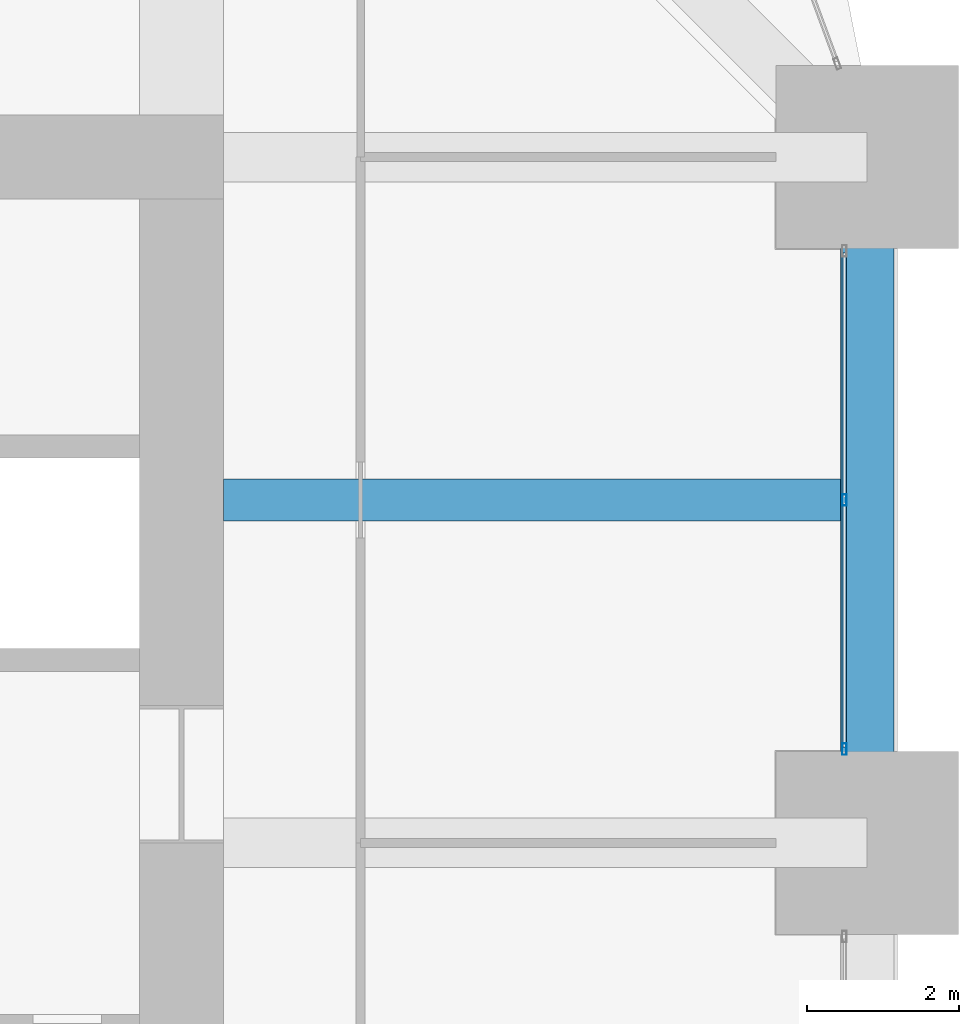
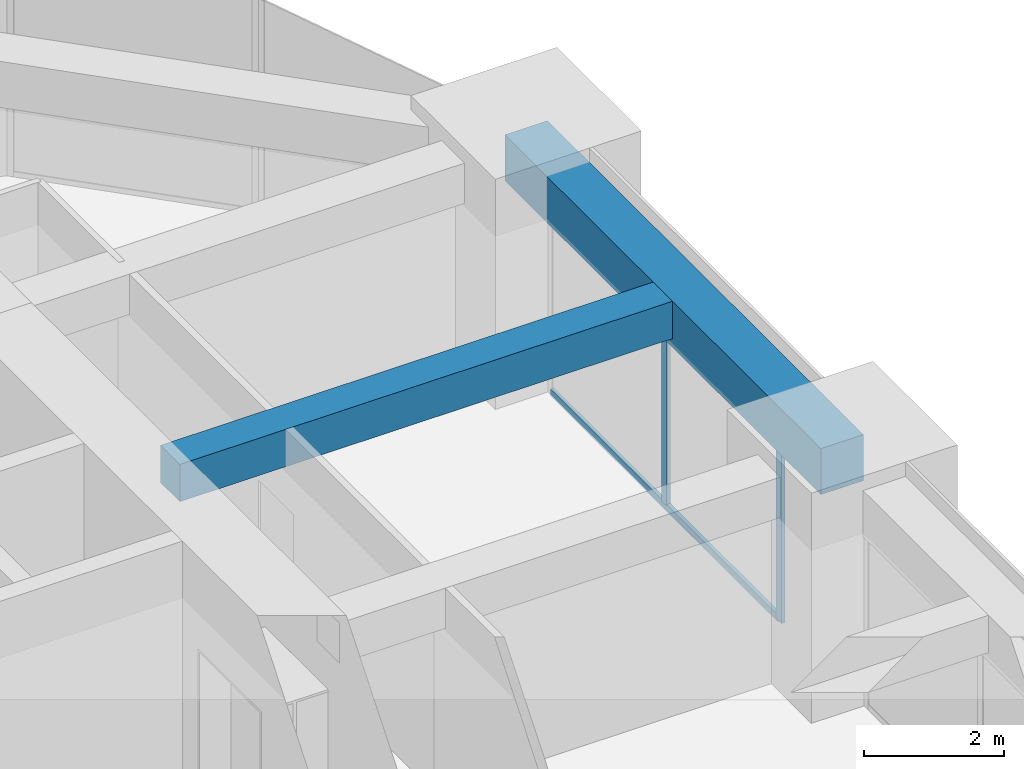
# One storey, part 19 of 34: 3 members, 2 beams, 1 element without a shape of its own.
"""IFC4 building model written with IfcOpenShell, lengths in metres."""

from ifc_helpers import new_model, si_unit, direction, frame, origin, origin_2d, place, context, subcontext, project, spatial, rectangle, hollow_rectangle, extrude, material, material_profile, profile_set, type_object, element, aggregate, save


model = new_model("IFC4")

# Units and contexts
model_context = context("Model", 3, precision=1e-05, world=origin(), true_north=direction((0.0, 1.0)))
body_context = subcontext(model_context, "Body", "Model", "MODEL_VIEW")
ifc_project = project(units=[si_unit("LENGTHUNIT", "METRE"), si_unit("AREAUNIT", "SQUARE_METRE"), si_unit("VOLUMEUNIT", "CUBIC_METRE"), si_unit("PLANEANGLEUNIT", "RADIAN"), si_unit("MASSUNIT", "GRAM", prefix="KILO")], contexts=[model_context])

# Site, building, storey
site_placement = place(None, origin())
site = spatial("IfcSite", under=ifc_project, at=site_placement, CompositionType="ELEMENT")
building_placement = place(site_placement, origin())
building = spatial("IfcBuilding", under=site, at=building_placement, Name="Zorevar Civic Tower", CompositionType="ELEMENT")
storey_placement = place(building_placement, frame((0.0, 0.0, 214.199951171875)))
storey = spatial("IfcBuildingStorey", under=building, at=storey_placement, Name="L52", CompositionType="ELEMENT", Elevation=214.199951171875)

# Beam
ifc_material_1 = material(Name="Concrete C50/60", Category="concrete")
ifc_material_profile_1 = material_profile(ifc_material_1, rectangle(XDim=0.550048828125, YDim=0.64990234375, at=origin_2d()), Name="RC 550x650")
ifc_profile_set_1 = profile_set([ifc_material_profile_1], Name="Concrete C50/60")
beam_type_1 = type_object("IfcBeamType", Name="Beam RC 550x650", PredefinedType="BEAM", material=ifc_profile_set_1)
beam_1_placement = place(storey_placement, frame((45.550048828125, 31.5, 3.425048828125), z_axis=(1.0, 0.0, 0.0), x_axis=(0.0, 1.0, 0.0)))
element("IfcBeam", 1, at=beam_1_placement, inside=storey, type_object=beam_type_1, Name="Secondary beam L53", PredefinedType="BEAM", context=body_context, shape_type="SweptSolid", body=[
    extrude(rectangle(XDim=0.550048828125, YDim=0.64990234375, at=origin_2d()), origin(), (0.0, 0.0, 1.0), 8.099853515625),
])

# Curtain wall, members
ifc_material_2 = material(Name="Dark grey solar-control glass in black aluminium frame", Category="aluminium")
curtain_wall_type = type_object("IfcCurtainWallType", Name="Curtain wall CW4 high zone", PredefinedType="NOTDEFINED", material=ifc_material_2)
curtain_wall_placement = place(storey_placement, origin())
curtain_wall = element("IfcCurtainWall", 2, at=curtain_wall_placement, inside=storey, type_object=curtain_wall_type, Name="CW4 L52", PredefinedType="NOTDEFINED")
ifc_material_3 = material(Name="Aluminium, black anodised", Category="aluminium")
ifc_material_profile_2 = material_profile(ifc_material_3, hollow_rectangle(XDim=0.06005859375, YDim=0.14990234375, WallThickness=0.00390625, at=origin_2d()), Name="AL 150x60x4")
ifc_profile_set_2 = profile_set([ifc_material_profile_2], Name="Aluminium, black anodised")
member_type_1 = type_object("IfcMemberType", Name="CW4 mullion AL 150x60x4", PredefinedType="MULLION", material=ifc_profile_set_2)
member_1_placement = place(storey_placement, frame((53.699951171875, 28.22998046875, 0.0), z_axis=(0.0, 0.0, 1.0), x_axis=(-1.0, 0.0, 0.0)))
member_1 = element("IfcMember", 3, at=member_1_placement, type_object=member_type_1, Name="CW4 mullion 1", PredefinedType="MULLION", context=body_context, shape_type="SweptSolid", body=[
    extrude(hollow_rectangle(XDim=0.06005859375, YDim=0.14990234375, WallThickness=0.00390625, at=origin_2d()), origin(), (0.0, 0.0, 1.0), 2.949951171875),
])
member_2_placement = place(storey_placement, frame((53.699951171875, 31.5, 0.06005859375), z_axis=(0.0, 0.0, 1.0), x_axis=(-1.0, 0.0, 0.0)))
member_2 = element("IfcMember", 4, at=member_2_placement, type_object=member_type_1, Name="CW4 mullion 2", PredefinedType="MULLION", context=body_context, shape_type="SweptSolid", body=[
    extrude(hollow_rectangle(XDim=0.06005859375, YDim=0.14990234375, WallThickness=0.00390625, at=origin_2d()), origin(), (0.0, 0.0, 1.0), 2.889892578125),
])
ifc_material_4 = material(Name="Aluminium, black anodised", Category="aluminium")
ifc_material_profile_3 = material_profile(ifc_material_4, hollow_rectangle(XDim=0.06005859375, YDim=0.1201171875, WallThickness=0.0029296875, at=origin_2d()), Name="AL 120x60x3")
ifc_profile_set_3 = profile_set([ifc_material_profile_3], Name="Aluminium, black anodised")
member_type_2 = type_object("IfcMemberType", Name="CW4 transom AL 120x60x3", PredefinedType="USERDEFINED", material=ifc_profile_set_3)
member_3_placement = place(storey_placement, frame((53.699951171875, 28.260009765625, 0.030029296875), z_axis=(0.0, 1.0, 0.0), x_axis=(-1.0, 0.0, 0.0)))
member_3 = element("IfcMember", 5, at=member_3_placement, type_object=member_type_2, Name="CW4 sill transom", ObjectType="TRANSOM", PredefinedType="USERDEFINED", context=body_context, shape_type="SweptSolid", body=[
    extrude(hollow_rectangle(XDim=0.06005859375, YDim=0.1201171875, WallThickness=0.0029296875, at=origin_2d()), origin(), (0.0, 0.0, 1.0), 6.47998046875),
])
aggregate(curtain_wall, [member_1, member_2, member_3])

# Beam
ifc_material_5 = material(Name="Concrete C50/60", Category="concrete")
ifc_material_profile_4 = material_profile(ifc_material_5, rectangle(XDim=0.699951171875, YDim=0.800048828125, at=origin_2d()), Name="RC 700x800")
ifc_profile_set_4 = profile_set([ifc_material_profile_4], Name="Concrete C50/60")
beam_type_2 = type_object("IfcBeamType", Name="Edge beam RC 700x800", PredefinedType="SPANDREL", material=ifc_profile_set_4)
beam_2_placement = place(storey_placement, frame((54.0, 27.0, 3.35009765625), z_axis=(0.0, 1.0, 0.0), x_axis=(-1.0, 0.0, 0.0)))
element("IfcBeam", 6, at=beam_2_placement, inside=storey, type_object=beam_type_2, Name="Edge beam L53", PredefinedType="SPANDREL", context=body_context, shape_type="SweptSolid", body=[
    extrude(rectangle(XDim=0.699951171875, YDim=0.800048828125, at=origin_2d()), origin(), (0.0, 0.0, 1.0), 9.0),
])

save(model, "model.ifc")
